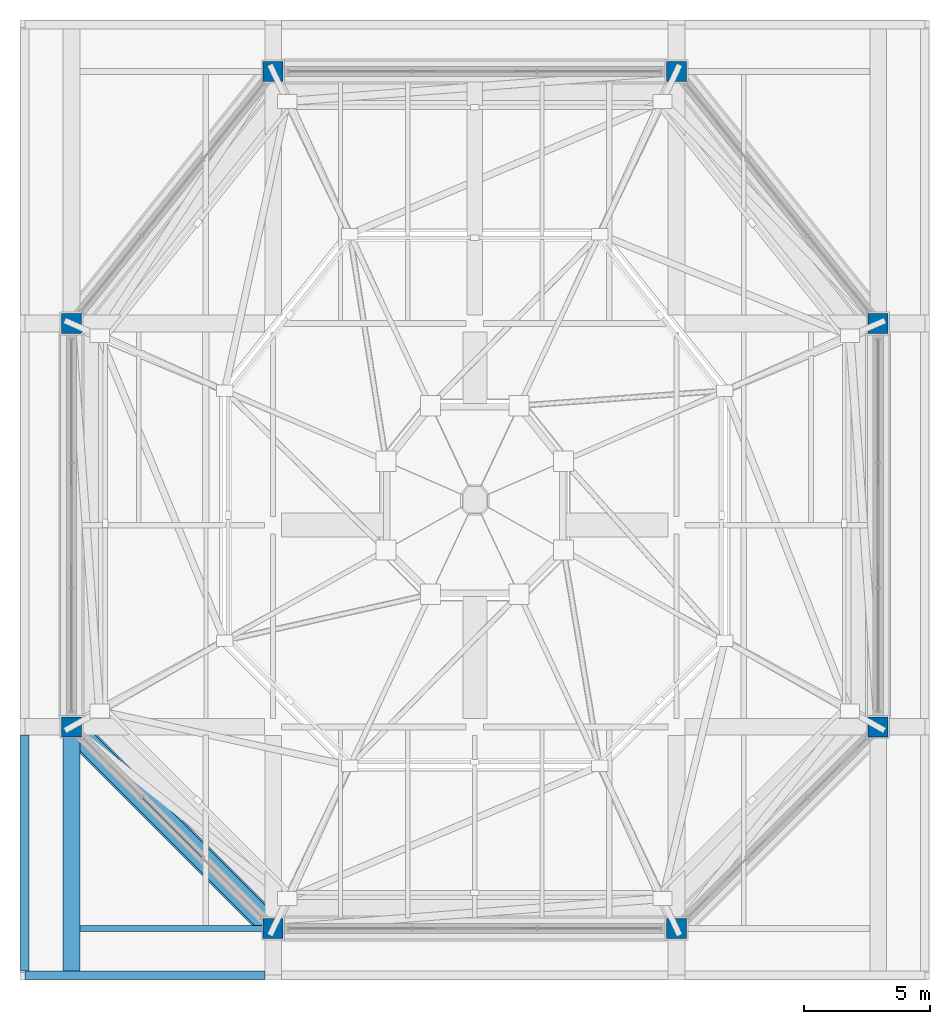
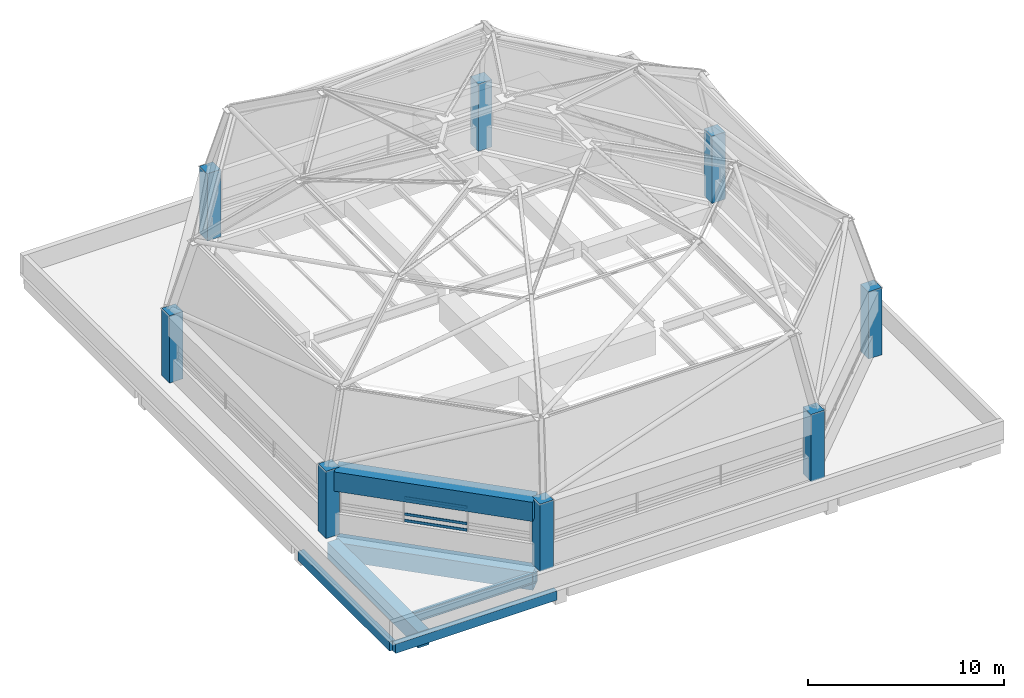
# One storey, part 1 of 10: 8 columns, 6 beams, 3 members, 1 element without a shape of its own.
"""IFC4 building model written with IfcOpenShell, lengths in metres."""

import ifcopenshell
import ifcopenshell.guid

model = None  # the IFC model being written
_history = None  # IfcOwnerHistory: only IFC2X3 demands one
_inside = {}  # id of a spatial element -> (the spatial element, [elements in it])
_under = {}  # id of a project, library or spatial element -> (it, [spatial elements below it])
_declared = {}  # id of a project -> (the project, [libraries it declares])
_typed = {}  # id of a type object -> (the type object, [elements of that type])
_made_of = {}  # id of a material, layer set ... -> (it, [elements and type objects made of it])


def new_model(schema):
    """Start an empty IFC model of exactly this schema.

    Asked for "IFC4X3", IfcOpenShell would pick the latest addendum, in which some entities
    have other attributes; the version numbers below select the first issue.
    IFC2X3 requires an IfcOwnerHistory on every rooted entity: one is made here for all.
    """
    global model, _history
    if schema == "IFC4X3":
        model = ifcopenshell.file(schema_version=(4, 3, 0, 0))
    else:
        model = ifcopenshell.file(schema=schema)
    _inside.clear()
    _under.clear()
    _declared.clear()
    _typed.clear()
    _made_of.clear()
    _history = None
    if model.schema == "IFC2X3":
        org = make("IfcOrganization", Name="unknown")
        user = make(
            "IfcPersonAndOrganization",
            ThePerson=make("IfcPerson", FamilyName="unknown"),
            TheOrganization=org,
        )
        app = make(
            "IfcApplication",
            ApplicationDeveloper=org,
            Version="unknown",
            ApplicationFullName="unknown",
            ApplicationIdentifier="unknown",
        )
        _history = make(
            "IfcOwnerHistory",
            OwningUser=user,
            OwningApplication=app,
            ChangeAction="ADDED",
            CreationDate=0,
        )
    return model


def make(cls, **values):
    """One entity of the class cls with the attributes given. An attribute that is None is left unset."""
    return model.create_entity(
        cls, **{name: value for name, value in values.items() if value is not None}
    )


def rooted(cls, **values):
    """An entity with a GlobalId (a new one), such as an element, a storey or a relation."""
    return make(cls, GlobalId=ifcopenshell.guid.new(), OwnerHistory=_history, **values)


def si_unit(unit_type, name, prefix=None):
    """IfcSIUnit, for example si_unit("LENGTHUNIT", "METRE", prefix="MILLI")."""
    return make("IfcSIUnit", UnitType=unit_type, Prefix=prefix, Name=name)


def assignment(units):
    """IfcUnitAssignment: the units of a project."""
    return None if units is None else make("IfcUnitAssignment", Units=units)


def point(xyz):
    """IfcCartesianPoint."""
    return None if xyz is None else make("IfcCartesianPoint", Coordinates=xyz)


def direction(xyz):
    """IfcDirection."""
    return None if xyz is None else make("IfcDirection", DirectionRatios=xyz)


def frame(location, z_axis=None, x_axis=None):
    """IfcAxis2Placement3D, a coordinate frame: its origin and axes. An axis left out is left unset."""
    return make(
        "IfcAxis2Placement3D",
        Location=point(location),
        Axis=direction(z_axis),
        RefDirection=direction(x_axis),
    )


def frame_2d(location, x_axis=None):
    """IfcAxis2Placement2D, a coordinate frame in the plane: its origin and x axis."""
    return make(
        "IfcAxis2Placement2D", Location=point(location), RefDirection=direction(x_axis)
    )


def origin():
    """The frame at (0, 0, 0) with its axes left unset."""
    return frame((0.0, 0.0, 0.0))


def origin_2d():
    """The frame at (0, 0) in the plane with its x axis left unset."""
    return frame_2d((0.0, 0.0))


def place(relative_to, where):
    """IfcLocalPlacement: puts the frame where relative to a parent placement (None: the world)."""
    return make(
        "IfcLocalPlacement", PlacementRelTo=relative_to, RelativePlacement=where
    )


def context(
    kind, dimensions, precision=None, world=None, true_north=None, identifier=None
):
    """IfcGeometricRepresentationContext, for example the 3D "Model" context."""
    return make(
        "IfcGeometricRepresentationContext",
        ContextIdentifier=identifier,
        ContextType=kind,
        CoordinateSpaceDimension=dimensions,
        Precision=precision,
        WorldCoordinateSystem=world,
        TrueNorth=true_north,
    )


def subcontext(parent, identifier, kind, view, scale=None):
    """IfcGeometricRepresentationSubContext, for example "Body" below "Model"."""
    return make(
        "IfcGeometricRepresentationSubContext",
        ContextIdentifier=identifier,
        ContextType=kind,
        ParentContext=parent,
        TargetScale=scale,
        TargetView=view,
    )


def project(units=None, contexts=None):
    """IfcProject with its units and contexts."""
    return rooted(
        "IfcProject",
        Name="project",
        RepresentationContexts=contexts,
        UnitsInContext=assignment(units),
    )


def spatial(cls, under=None, at=None, **own):
    """A site, building, storey or space (cls), placed at a placement, below another one or the project."""
    s = rooted(cls, ObjectPlacement=at, **own)
    if under is not None:
        _under.setdefault(under.id(), (under, []))[1].append(s)
    return s


def profile(cls, at=None, kind="AREA", **sizes):
    """A parametric profile (cls). Its sizes go by their IFC names, for example OverallWidth=200.0."""
    return make(cls, ProfileType=kind, Position=at, **sizes)


def rectangle(**sizes):
    """IfcRectangleProfileDef."""
    return profile("IfcRectangleProfileDef", **sizes)


def i_section(**sizes):
    """IfcIShapeProfileDef."""
    return profile("IfcIShapeProfileDef", **sizes)


def extrude(swept, where, along, depth):
    """IfcExtrudedAreaSolid: the profile swept, set in the frame where, extruded along a direction by depth."""
    return make(
        "IfcExtrudedAreaSolid",
        SweptArea=swept,
        Position=where,
        ExtrudedDirection=direction(along),
        Depth=depth,
    )


def shape(context_of_items, identifier, shape_type, items):
    """IfcShapeRepresentation: the items that make up one representation, for example the "Body"."""
    return make(
        "IfcShapeRepresentation",
        ContextOfItems=context_of_items,
        RepresentationIdentifier=identifier,
        RepresentationType=shape_type,
        Items=items,
    )


def material(Name=None, Category=None):
    """IfcMaterial."""
    return make("IfcMaterial", Name=Name, Category=Category)


def material_profile(
    of_material, cross_section, Name=None, Category=None, Priority=None
):
    """IfcMaterialProfile: a cross section and its material."""
    return make(
        "IfcMaterialProfile",
        Name=Name,
        Material=of_material,
        Profile=cross_section,
        Priority=Priority,
        Category=Category,
    )


def profile_set(profiles, Name=None, composite=None):
    """IfcMaterialProfileSet."""
    return make(
        "IfcMaterialProfileSet",
        Name=Name,
        MaterialProfiles=profiles,
        CompositeProfile=composite,
    )


def made_of(thing, what):
    """Note that an element or type object is made of a material, layer set ...; save() writes the relation."""
    if what is not None:
        _made_of.setdefault(what.id(), (what, []))[1].append(thing)
    return thing


def type_object(cls, material=None, **own):
    """A type object (cls), such as IfcWallType, which elements share."""
    return made_of(rooted(cls, **own), material)


def element(
    cls,
    number,
    at=None,
    inside=None,
    cuts=None,
    type_object=None,
    material=None,
    context=None,
    identifier="Body",
    shape_type=None,
    held_by="IfcProductDefinitionShape",
    body=None,
    shapes=None,
    **own,
):
    """One element of the class cls, such as IfcWall. Its Tag is "e" and its number.

    at: its placement. inside: the storey or other place that contains it. cuts: it is an
    opening in that element (IfcRelVoidsElement). A single representation is given by context,
    identifier, shape_type and body (its items); several are given by shapes. held_by: the class
    of the entity that holds the representations. save() writes the other relations.
    """
    e = rooted(cls, Tag="e%d" % number, ObjectPlacement=at, **own)
    if body is not None:
        shapes = [shape(context, identifier, shape_type, body)]
    if shapes is not None:
        e.Representation = make(held_by, Representations=shapes)
    if inside is not None:
        _inside.setdefault(inside.id(), (inside, []))[1].append(e)
    if cuts is not None:
        rooted(
            "IfcRelVoidsElement", RelatingBuildingElement=cuts, RelatedOpeningElement=e
        )
    if type_object is not None:
        _typed.setdefault(type_object.id(), (type_object, []))[1].append(e)
    return made_of(e, material)


def aggregate(whole, parts):
    """IfcRelAggregates: a whole, such as a stair, and the parts it consists of."""
    return rooted("IfcRelAggregates", RelatingObject=whole, RelatedObjects=parts)


def save(model, path):
    """Write the relations noted so far, then the file.

    IfcRelAggregates (storeys below a building ...), IfcRelContainedInSpatialStructure (elements
    in a storey), IfcRelDefinesByType, IfcRelAssociatesMaterial and IfcRelDeclares: one each for
    every whole, place, type object, material and project.
    """
    for whole, parts in _under.values():
        aggregate(whole, parts)
    for where, things in _inside.values():
        rooted(
            "IfcRelContainedInSpatialStructure",
            RelatedElements=things,
            RelatingStructure=where,
        )
    for kind, things in _typed.values():
        rooted("IfcRelDefinesByType", RelatedObjects=things, RelatingType=kind)
    for what, things in _made_of.values():
        rooted("IfcRelAssociatesMaterial", RelatedObjects=things, RelatingMaterial=what)
    for by, libraries in _declared.values():
        rooted("IfcRelDeclares", RelatingContext=by, RelatedDefinitions=libraries)
    model.write(path)


model = new_model("IFC4")

# Units and contexts
model_context = context("Model", 3, precision=1e-05, world=origin(), true_north=direction((0.0, 1.0)))
body_context = subcontext(model_context, "Body", "Model", "MODEL_VIEW")
ifc_project = project(units=[si_unit("LENGTHUNIT", "METRE"), si_unit("AREAUNIT", "SQUARE_METRE"), si_unit("VOLUMEUNIT", "CUBIC_METRE"), si_unit("PLANEANGLEUNIT", "RADIAN"), si_unit("MASSUNIT", "GRAM", prefix="KILO")], contexts=[model_context])

# Site, building, storey
site_placement = place(None, origin())
site = spatial("IfcSite", under=ifc_project, at=site_placement, CompositionType="ELEMENT")
building_placement = place(site_placement, origin())
building = spatial("IfcBuilding", under=site, at=building_placement, Name="Pecanmere Concourse Central Library", CompositionType="ELEMENT")
storey_placement = place(building_placement, frame((0.0, 0.0, 34.800048828125)))
storey = spatial("IfcBuildingStorey", under=building, at=storey_placement, Name="ROOF", CompositionType="ELEMENT", Elevation=34.800048828125)

# Columns
ifc_material_1 = material(Name="Concrete C40/50", Category="concrete")
ifc_material_profile_1 = material_profile(ifc_material_1, rectangle(XDim=0.800048828125, YDim=0.800048828125, at=origin_2d()), Name="RC 800x800")
ifc_profile_set_1 = profile_set([ifc_material_profile_1], Name="Concrete C40/50")
column_type = type_object("IfcColumnType", Name="COL_RC_800x800", PredefinedType="COLUMN", material=ifc_profile_set_1)
for number, where, z_axis, x_axis, name in (
    (1, (80.0, 90.0, 0.0), (0.0, 0.0, 1.0), (1.0, 0.0, 0.0), "Dome Clerestory Drum Pier 01"),
    (2, (96.0, 90.0, 0.0), (0.0, 0.0, 1.0), (1.0, 0.0, 0.0), "Dome Clerestory Drum Pier 02"),
    (3, (104.0, 98.0, 0.0), (0.0, 0.0, 1.0), (1.0, 0.0, 0.0), "Dome Clerestory Drum Pier 03"),
    (4, (104.0, 114.0, 0.0), (0.0, 0.0, 1.0), (1.0, 0.0, 0.0), "Dome Clerestory Drum Pier 04"),
    (5, (96.0, 124.0, 0.0), (0.0, 0.0, 1.0), (1.0, 0.0, 0.0), "Dome Clerestory Drum Pier 05"),
    (6, (80.0, 124.0, 0.0), (0.0, 0.0, 1.0), (1.0, 0.0, 0.0), "Dome Clerestory Drum Pier 06"),
    (7, (72.0, 114.0, 0.0), (0.0, 0.0, 1.0), (1.0, 0.0, 0.0), "Dome Clerestory Drum Pier 07"),
    (8, (72.0, 98.0, 0.0), (0.0, 0.0, 1.0), (1.0, 0.0, 0.0), "Dome Clerestory Drum Pier 08"),
):
    element("IfcColumn", number, at=place(storey_placement, frame(where, z_axis=z_axis, x_axis=x_axis)), inside=storey, type_object=column_type, Name=name, PredefinedType="COLUMN", context=body_context, shape_type="SweptSolid", body=[
        extrude(rectangle(XDim=0.800048828125, YDim=0.800048828125, at=origin_2d()), origin(), (0.0, 0.0, 1.0), 4.199951171875),
    ])

# Curtain wall, members
ifc_material_2 = material(Name="Anodized bronze aluminium alloy 6063-T6", Category="aluminium")
curtain_wall_type = type_object("IfcCurtainWallType", Name="CW_PORTAL_CLEAR", PredefinedType="USERDEFINED", material=ifc_material_2)
curtain_wall_placement = place(storey_placement, origin())
curtain_wall = element("IfcCurtainWall", 9, at=curtain_wall_placement, inside=storey, type_object=curtain_wall_type, Name="Unitised Curtain Wall CW-03 ROOF-180", ObjectType="UNITISED CURTAIN WALL", PredefinedType="USERDEFINED")
ifc_material_3 = material(Name="Anodized bronze aluminium alloy 6063-T6", Category="aluminium")
ifc_material_profile_2 = material_profile(ifc_material_3, rectangle(XDim=0.06005859375, YDim=0.159912109375, at=origin_2d()), Name="AL 60x160")
ifc_profile_set_2 = profile_set([ifc_material_profile_2], Name="Anodized bronze aluminium alloy 6063-T6")
member_type = type_object("IfcMemberType", Name="CWT_160x60", PredefinedType="USERDEFINED", material=ifc_profile_set_2)
member_1_placement = place(storey_placement, frame((74.826416015625, 95.173583984375, 1.5), z_axis=(0.707106781187, -0.707106781187, 0.0), x_axis=(0.707106781187, 0.707106781187, 0.0)))
member_1 = element("IfcMember", 10, at=member_1_placement, type_object=member_type, Name="CW-03 Transom 2.1", ObjectType="TRANSOM", PredefinedType="USERDEFINED", context=body_context, shape_type="SweptSolid", body=[
    extrude(rectangle(XDim=0.06005859375, YDim=0.159912109375, at=origin_2d()), origin(), (0.0, 0.0, 1.0), 3.3193359375),
])
member_2_placement = place(storey_placement, frame((74.826416015625, 95.173583984375, 1.89990234375), z_axis=(0.707106781187, -0.707106781187, 0.0), x_axis=(0.707106781187, 0.707106781187, 0.0)))
member_2 = element("IfcMember", 11, at=member_2_placement, type_object=member_type, Name="CW-03 Transom 2.2", ObjectType="TRANSOM", PredefinedType="USERDEFINED", context=body_context, shape_type="SweptSolid", body=[
    extrude(rectangle(XDim=0.06005859375, YDim=0.159912109375, at=origin_2d()), origin(), (0.0, 0.0, 1.0), 3.3193359375),
])
member_3_placement = place(storey_placement, frame((74.826416015625, 95.173583984375, 2.919921875), z_axis=(0.707106781187, -0.707106781187, 0.0), x_axis=(0.707106781187, 0.707106781187, 0.0)))
member_3 = element("IfcMember", 12, at=member_3_placement, type_object=member_type, Name="CW-03 Transom 2.3", ObjectType="TRANSOM", PredefinedType="USERDEFINED", context=body_context, shape_type="SweptSolid", body=[
    extrude(rectangle(XDim=0.06005859375, YDim=0.159912109375, at=origin_2d()), origin(), (0.0, 0.0, 1.0), 3.3193359375),
])
aggregate(curtain_wall, [member_1, member_2, member_3])

# Beams
ifc_material_4 = material(Name="Concrete C40/50", Category="concrete")
ifc_material_profile_3 = material_profile(ifc_material_4, rectangle(XDim=0.659912109375, YDim=0.97998046875, at=origin_2d()), Name="RC 660x980")
ifc_profile_set_3 = profile_set([ifc_material_profile_3], Name="Concrete C40/50")
beam_type_1 = type_object("IfcBeamType", Name="GRD_660x980", PredefinedType="USERDEFINED", material=ifc_profile_set_3)
beam_1_placement = place(storey_placement, frame((72.0, 88.318603515625, -0.72998046875), z_axis=(0.0, 1.0, 0.0), x_axis=(-1.0, 0.0, 0.0)))
element("IfcBeam", 13, at=beam_1_placement, inside=storey, type_object=beam_type_1, Name="Primary Girder Y ROOF-2871", ObjectType="GIRDER", PredefinedType="USERDEFINED", context=body_context, shape_type="SweptSolid", body=[
    extrude(rectangle(XDim=0.659912109375, YDim=0.97998046875, at=origin_2d()), origin(), (0.0, 0.0, 1.0), 9.281494140625),
])
ifc_material_5 = material(Name="Concrete C40/50", Category="concrete")
ifc_material_profile_4 = material_profile(ifc_material_5, rectangle(XDim=1.0, YDim=1.199951171875, at=origin_2d()), Name="RC 1000x1200")
ifc_profile_set_4 = profile_set([ifc_material_profile_4], Name="Concrete C40/50")
beam_type_2 = type_object("IfcBeamType", Name="RB_1000x1200", PredefinedType="BEAM", material=ifc_profile_set_4)
beam_2_placement = place(storey_placement, frame((72.28271484375, 97.71728515625, 3.599853515625), z_axis=(0.707106781187, -0.707106781187, 0.0), x_axis=(0.707106781187, 0.707106781187, 0.0)))
element("IfcBeam", 14, at=beam_2_placement, inside=storey, type_object=beam_type_2, Name="Dome Tension Ring Beam Segment 8", PredefinedType="BEAM", context=body_context, shape_type="SweptSolid", body=[
    extrude(rectangle(XDim=1.0, YDim=1.199951171875, at=origin_2d()), origin(), (0.0, 0.0, 1.0), 10.51416015625),
])
ifc_material_6 = material(Name="Concrete C40/50", Category="concrete")
ifc_material_profile_5 = material_profile(ifc_material_6, rectangle(XDim=0.85009765625, YDim=1.10009765625, at=origin_2d()), Name="RC 850x1100")
ifc_profile_set_5 = profile_set([ifc_material_profile_5], Name="Concrete C40/50")
beam_type_3 = type_object("IfcBeamType", Name="RB_850x1100", PredefinedType="BEAM", material=ifc_profile_set_5)
beam_3_placement = place(storey_placement, frame((72.28271484375, 97.71728515625, -0.7900390625), z_axis=(0.707106781187, -0.707106781187, 0.0), x_axis=(0.707106781187, 0.707106781187, 0.0)))
element("IfcBeam", 15, at=beam_3_placement, inside=storey, type_object=beam_type_3, Name="Drum Base Ring Girder Segment 8", PredefinedType="BEAM", context=body_context, shape_type="SweptSolid", body=[
    extrude(rectangle(XDim=0.85009765625, YDim=1.10009765625, at=origin_2d()), origin(), (0.0, 0.0, 1.0), 10.51416015625),
])
ifc_material_7 = material(Name="Structural steel ASTM A992 Grade 50", Category="steel")
ifc_material_profile_6 = material_profile(ifc_material_7, i_section(OverallWidth=0.22998046875, OverallDepth=0.616943359375, WebThickness=0.01318359375, FlangeThickness=0.022216796875, at=origin_2d()), Name="W610x140")
ifc_profile_set_6 = profile_set([ifc_material_profile_6], Name="Structural steel ASTM A992 Grade 50")
beam_type_4 = type_object("IfcBeamType", Name="SBM_W610x140", PredefinedType="USERDEFINED", material=ifc_profile_set_6)
beam_4_placement = place(storey_placement, frame((72.340087890625, 90.0, -0.548583984375), z_axis=(1.0, 0.0, 0.0), x_axis=(0.0, 1.0, 0.0)))
element("IfcBeam", 16, at=beam_4_placement, inside=storey, type_object=beam_type_4, Name="Primary Girder X ROOF-2856", ObjectType="GIRDER", PredefinedType="USERDEFINED", context=body_context, shape_type="SweptSolid", body=[
    extrude(i_section(OverallWidth=0.22998046875, OverallDepth=0.616943359375, WebThickness=0.01318359375, FlangeThickness=0.022216796875, at=origin_2d()), origin(), (0.0, 0.0, 1.0), 7.260009765625),
])
ifc_material_8 = material(Name="Concrete C40/50", Category="concrete")
ifc_material_profile_7 = material_profile(ifc_material_8, rectangle(XDim=0.340087890625, YDim=0.580078125, at=origin_2d()), Name="RC 340x580")
ifc_profile_set_7 = profile_set([ifc_material_profile_7], Name="Concrete C40/50")
beam_type_5 = type_object("IfcBeamType", Name="SPB_340x580", PredefinedType="BEAM", material=ifc_profile_set_7)
beam_5_placement = place(storey_placement, frame((70.1484375, 88.1484375, -0.530029296875), z_axis=(1.0, 0.0, 0.0), x_axis=(0.0, 1.0, 0.0)))
element("IfcBeam", 17, at=beam_5_placement, inside=storey, type_object=beam_type_5, Name="Leaning Facade Edge Beam ROOF-2886", PredefinedType="BEAM", context=body_context, shape_type="SweptSolid", body=[
    extrude(rectangle(XDim=0.340087890625, YDim=0.580078125, at=origin_2d()), origin(), (0.0, 0.0, 1.0), 9.521484375),
])
beam_6_placement = place(storey_placement, frame((70.1484375, 88.318603515625, -0.530029296875), z_axis=(0.0, 1.0, 0.0), x_axis=(-1.0, 0.0, 0.0)))
element("IfcBeam", 18, at=beam_6_placement, inside=storey, type_object=beam_type_5, Name="Leaning Facade Edge Beam ROOF-2892", PredefinedType="BEAM", context=body_context, shape_type="SweptSolid", body=[
    extrude(rectangle(XDim=0.340087890625, YDim=0.580078125, at=origin_2d()), origin(), (0.0, 0.0, 1.0), 9.351318359375),
])

save(model, "model.ifc")
